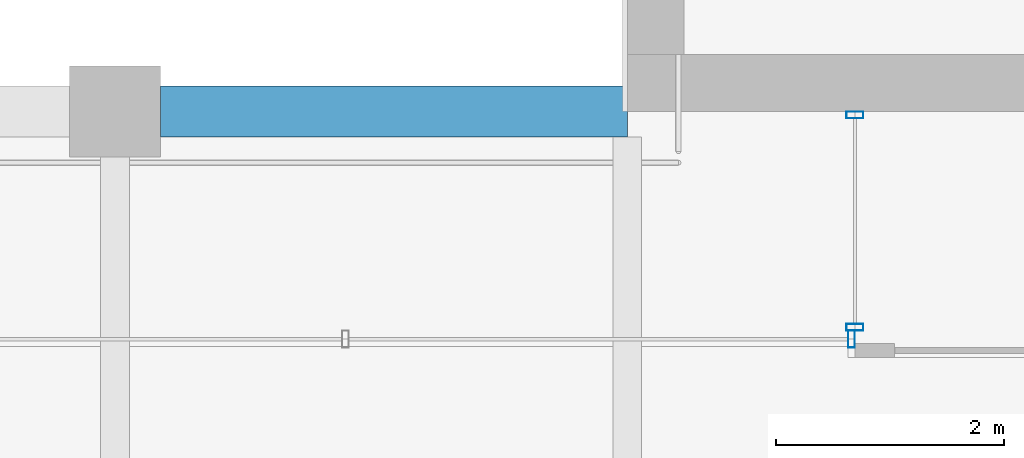
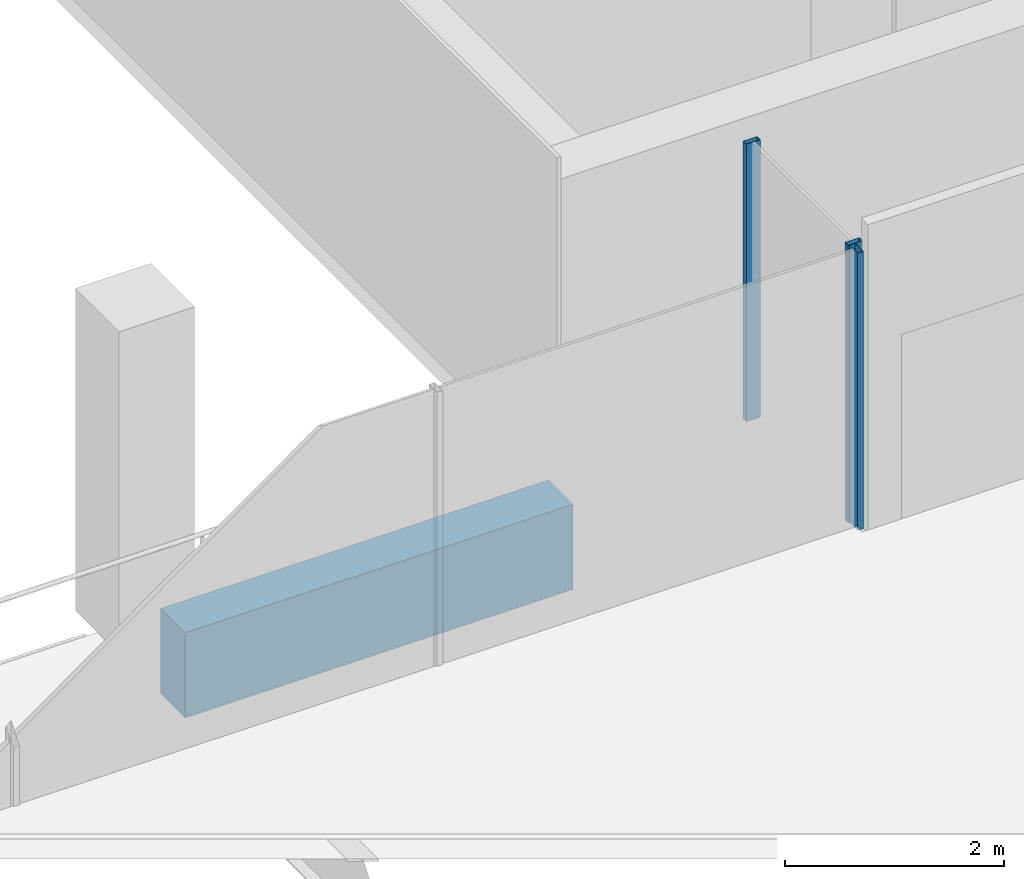
# One storey, part 6 of 40: 3 members, 1 beam, 2 elements without a shape of their own.
"""IFC4 building model written with IfcOpenShell, lengths in metres."""

from ifc_helpers import new_model, si_unit, direction, frame, origin, origin_2d, place, context, subcontext, project, spatial, rectangle, hollow_rectangle, extrude, material, material_profile, profile_set, type_object, element, aggregate, save


model = new_model("IFC4")

# Units and contexts
model_context = context("Model", 3, precision=1e-05, world=origin(), true_north=direction((0.0, 1.0)))
body_context = subcontext(model_context, "Body", "Model", "MODEL_VIEW")
ifc_project = project(units=[si_unit("LENGTHUNIT", "METRE"), si_unit("AREAUNIT", "SQUARE_METRE"), si_unit("VOLUMEUNIT", "CUBIC_METRE"), si_unit("PLANEANGLEUNIT", "RADIAN"), si_unit("MASSUNIT", "GRAM", prefix="KILO")], contexts=[model_context])

# Site, building, storey
site_placement = place(None, origin())
site = spatial("IfcSite", under=ifc_project, at=site_placement, CompositionType="ELEMENT")
building_placement = place(site_placement, origin())
building = spatial("IfcBuilding", under=site, at=building_placement, Name="Altepetl Exchange Towers", CompositionType="ELEMENT")
storey_placement = place(building_placement, frame((0.0, 0.0, 199.199951171875)))
storey = spatial("IfcBuildingStorey", under=building, at=storey_placement, Name="L50", CompositionType="ELEMENT", Elevation=199.199951171875)

# Curtain wall, members
ifc_material_1 = material(Name="Aluminium 6063-T6 glazing", Category="aluminium")
curtain_wall_type = type_object("IfcCurtainWallType", Name="Loggia glazing system", PredefinedType="NOTDEFINED", material=ifc_material_1)
curtain_wall_1_placement = place(storey_placement, origin())
curtain_wall_1 = element("IfcCurtainWall", 1, at=curtain_wall_1_placement, inside=storey, type_object=curtain_wall_type, Name="CW1 run", PredefinedType="NOTDEFINED")
ifc_material_2 = material(Name="Aluminium 6063-T6", Category="aluminium")
ifc_material_profile_1 = material_profile(ifc_material_2, hollow_rectangle(XDim=0.06005859375, YDim=0.14990234375, WallThickness=0.0029296875, at=origin_2d()), Name="Mullion 60x150 aluminium")
ifc_profile_set_1 = profile_set([ifc_material_profile_1], Name="Aluminium 6063-T6")
member_type = type_object("IfcMemberType", Name="Mullion 60x150 aluminium", PredefinedType="MULLION", material=ifc_profile_set_1)
member_1_placement = place(storey_placement, frame((42.5, 40.469970703125, 0.0), z_axis=(0.0, 0.0, 1.0), x_axis=(0.0, -1.0, 0.0)))
member_1 = element("IfcMember", 2, at=member_1_placement, type_object=member_type, Name="MU1 mullion", PredefinedType="MULLION", context=body_context, shape_type="SweptSolid", body=[
    extrude(hollow_rectangle(XDim=0.06005859375, YDim=0.14990234375, WallThickness=0.0029296875, at=origin_2d()), origin(), (0.0, 0.0, 1.0), 3.10009765625),
])
member_2_placement = place(storey_placement, frame((42.5, 38.60498046875, 0.0), z_axis=(0.0, 0.0, 1.0), x_axis=(0.0, -1.0, 0.0)))
member_2 = element("IfcMember", 3, at=member_2_placement, type_object=member_type, Name="MU1 mullion", PredefinedType="MULLION", context=body_context, shape_type="SweptSolid", body=[
    extrude(hollow_rectangle(XDim=0.06005859375, YDim=0.14990234375, WallThickness=0.0029296875, at=origin_2d()), origin(), (0.0, 0.0, 1.0), 3.10009765625),
])
aggregate(curtain_wall_1, [member_1, member_2])

# Curtain wall, member
curtain_wall_2_placement = place(storey_placement, origin())
curtain_wall_2 = element("IfcCurtainWall", 4, at=curtain_wall_2_placement, inside=storey, type_object=curtain_wall_type, Name="CW1 run", PredefinedType="NOTDEFINED")
member_3_placement = place(storey_placement, frame((42.469970703125, 38.5, 0.0), z_axis=(0.0, 0.0, 1.0), x_axis=(-1.0, 0.0, 0.0)))
member_3 = element("IfcMember", 5, at=member_3_placement, type_object=member_type, Name="MU1 mullion", PredefinedType="MULLION", context=body_context, shape_type="SweptSolid", body=[
    extrude(hollow_rectangle(XDim=0.06005859375, YDim=0.14990234375, WallThickness=0.0029296875, at=origin_2d()), origin(), (0.0, 0.0, 1.0), 3.10009765625),
])
aggregate(curtain_wall_2, [member_3])

# Beam
ifc_material_3 = material(Name="Concrete C50/60 precast with tezontle facing", Category="concrete")
ifc_material_profile_2 = material_profile(ifc_material_3, rectangle(XDim=0.449951171875, YDim=0.949951171875, at=origin_2d()), Name="450 x 950")
ifc_profile_set_2 = profile_set([ifc_material_profile_2], Name="Concrete C50/60 precast with tezontle facing")
beam_type = type_object("IfcBeamType", Name="Spandrel beam 450x950 tezontle", PredefinedType="SPANDREL", material=ifc_profile_set_2)
beam_placement = place(storey_placement, frame((40.5, 40.5, -0.625), z_axis=(-1.0, 0.0, 0.0), x_axis=(0.0, -1.0, 0.0)))
element("IfcBeam", 6, at=beam_placement, inside=storey, type_object=beam_type, Name="sp:A:L50:033", PredefinedType="SPANDREL", context=body_context, shape_type="SweptSolid", body=[
    extrude(rectangle(XDim=0.449951171875, YDim=0.949951171875, at=origin_2d()), origin(), (0.0, 0.0, 1.0), 4.10009765625),
])

save(model, "model.ifc")
